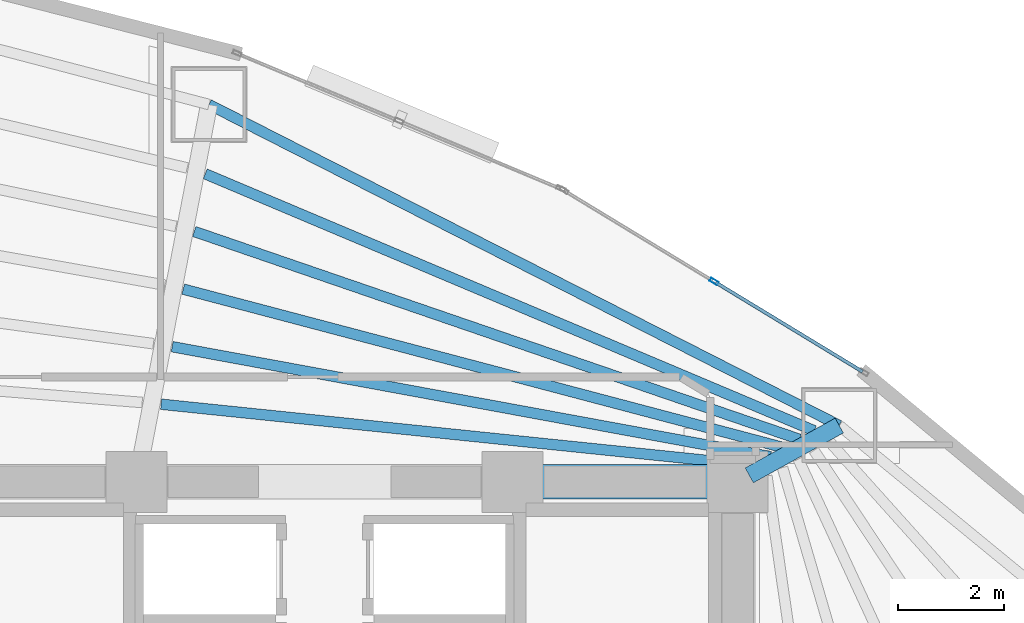
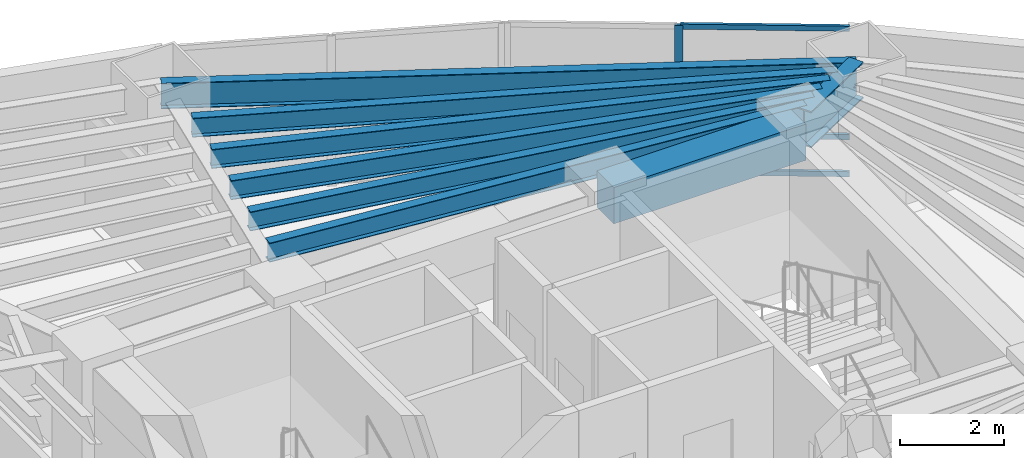
# One storey, part 10 of 17: 8 beams, 4 members, 1 element without a shape of its own.
"""IFC4 building model written with IfcOpenShell, lengths in metres."""

from ifc_helpers import new_model, si_unit, direction, frame, origin, origin_2d, place, context, subcontext, project, spatial, rectangle, hollow_rectangle, i_section, extrude, material, layer, layer_set, material_profile, profile_set, type_object, element, aggregate, save


model = new_model("IFC4")

# Units and contexts
model_context = context("Model", 3, precision=1e-05, world=origin(), true_north=direction((0.0, 1.0)))
body_context = subcontext(model_context, "Body", "Model", "MODEL_VIEW")
ifc_project = project(units=[si_unit("LENGTHUNIT", "METRE"), si_unit("AREAUNIT", "SQUARE_METRE"), si_unit("VOLUMEUNIT", "CUBIC_METRE"), si_unit("PLANEANGLEUNIT", "RADIAN"), si_unit("MASSUNIT", "GRAM", prefix="KILO")], contexts=[model_context])

# Site, building, storey
site_placement = place(None, origin())
site = spatial("IfcSite", under=ifc_project, at=site_placement, CompositionType="ELEMENT")
building_placement = place(site_placement, origin())
building = spatial("IfcBuilding", under=site, at=building_placement, Name="Menara Vayukalpa", CompositionType="ELEMENT")
storey_placement = place(building_placement, frame((0.0, 0.0, 42.47998046875)))
storey = spatial("IfcBuildingStorey", under=building, at=storey_placement, Name="L09", CompositionType="ELEMENT", Elevation=42.47998046875)

# Beams
ifc_material_1 = material(Name="Concrete C60/75", Category="concrete")
ifc_material_profile_1 = material_profile(ifc_material_1, rectangle(XDim=0.64990234375, YDim=0.85009765625, at=origin_2d()), Name="RC 650x850")
ifc_profile_set_1 = profile_set([ifc_material_profile_1], Name="Concrete C60/75")
beam_type_1 = type_object("IfcBeamType", Name="BM-CB1", PredefinedType="BEAM", material=ifc_profile_set_1)
beam_1_placement = place(storey_placement, frame((29.14990234375, 26.800048828125, 3.044921875), z_axis=(1.0, 0.0, 0.0), x_axis=(0.0, 1.0, 0.0)))
element("IfcBeam", 1, at=beam_1_placement, inside=storey, type_object=beam_type_1, Name="L09 Core Tie Beam CBR6", PredefinedType="BEAM", context=body_context, shape_type="SweptSolid", body=[
    extrude(rectangle(XDim=0.64990234375, YDim=0.85009765625, at=origin_2d()), origin(), (0.0, 0.0, 1.0), 4.25),
])
ifc_material_2 = material(Name="Steel S355", Category="steel")
ifc_material_profile_2 = material_profile(ifc_material_2, i_section(OverallWidth=0.320068359375, OverallDepth=0.85009765625, WebThickness=0.01611328125, FlangeThickness=0.030029296875, at=origin_2d()), Name="WF 850x320x16x30")
ifc_profile_set_2 = profile_set([ifc_material_profile_2], Name="Steel S355")
beam_type_2 = type_object("IfcBeamType", Name="BM-PG2", PredefinedType="BEAM", material=ifc_profile_set_2)
beam_2_placement = place(storey_placement, frame((33.61865234375, 26.921142578125, 3.044921875), z_axis=(0.87459548214, 0.484853320727, 0.0), x_axis=(-0.484853320727, 0.87459548214, 0.0)))
element("IfcBeam", 2, at=beam_2_placement, inside=storey, type_object=beam_type_2, Name="L09 Primary Radial Girder RG02", PredefinedType="BEAM", context=body_context, shape_type="SweptSolid", body=[
    extrude(i_section(OverallWidth=0.320068359375, OverallDepth=0.85009765625, WebThickness=0.01611328125, FlangeThickness=0.030029296875, at=origin_2d()), origin(), (0.0, 0.0, 1.0), 1.943115234375),
])
ifc_material_3 = material(Name="Steel S355", Category="steel")
ifc_material_profile_3 = material_profile(ifc_material_3, i_section(OverallWidth=0.199951171875, OverallDepth=0.449951171875, WebThickness=0.009033203125, FlangeThickness=0.013916015625, at=origin_2d()), Name="WF 450x200x9x14")
ifc_profile_set_3 = profile_set([ifc_material_profile_3], Name="Steel S355")
beam_type_3 = type_object("IfcBeamType", Name="BM-SJ1", PredefinedType="JOIST", material=ifc_profile_set_3)
beam_3_placement = place(storey_placement, frame((33.74560546875, 27.109130859375, 3.2451171875), z_axis=(-0.994746828953, 0.102365747631, 0.0), x_axis=(-0.102365747631, -0.994746828953, 0.0)))
element("IfcBeam", 3, at=beam_3_placement, inside=storey, type_object=beam_type_3, Name="L09 Secondary Floor Joist SJ02-1", PredefinedType="JOIST", context=body_context, shape_type="SweptSolid", body=[
    extrude(i_section(OverallWidth=0.199951171875, OverallDepth=0.449951171875, WebThickness=0.009033203125, FlangeThickness=0.013916015625, at=origin_2d()), origin(), (0.0, 0.0, 1.0), 11.29052734375),
])
beam_4_placement = place(storey_placement, frame((34.019287109375, 27.27392578125, 3.2451171875), z_axis=(-0.983504975359, 0.180881075419, 0.0), x_axis=(-0.180881075419, -0.983504975359, 0.0)))
element("IfcBeam", 4, at=beam_4_placement, inside=storey, type_object=beam_type_3, Name="L09 Secondary Floor Joist SJ02-2", PredefinedType="JOIST", context=body_context, shape_type="SweptSolid", body=[
    extrude(i_section(OverallWidth=0.199951171875, OverallDepth=0.449951171875, WebThickness=0.009033203125, FlangeThickness=0.013916015625, at=origin_2d()), origin(), (0.0, 0.0, 1.0), 11.48486328125),
])
beam_5_placement = place(storey_placement, frame((34.294189453125, 27.438232421875, 3.2451171875), z_axis=(-0.966863757537, 0.255292918746, 0.0), x_axis=(-0.255292918746, -0.966863757537, 0.0)))
element("IfcBeam", 5, at=beam_5_placement, inside=storey, type_object=beam_type_3, Name="L09 Secondary Floor Joist SJ02-3", PredefinedType="JOIST", context=body_context, shape_type="SweptSolid", body=[
    extrude(i_section(OverallWidth=0.199951171875, OverallDepth=0.449951171875, WebThickness=0.009033203125, FlangeThickness=0.013916015625, at=origin_2d()), origin(), (0.0, 0.0, 1.0), 11.751220703125),
])
beam_6_placement = place(storey_placement, frame((34.570068359375, 27.601318359375, 3.2451171875), z_axis=(-0.945794261669, 0.324766400038, 0.0), x_axis=(-0.324766400038, -0.945794261669, 0.0)))
element("IfcBeam", 6, at=beam_6_placement, inside=storey, type_object=beam_type_3, Name="L09 Secondary Floor Joist SJ02-4", PredefinedType="JOIST", context=body_context, shape_type="SweptSolid", body=[
    extrude(i_section(OverallWidth=0.199951171875, OverallDepth=0.449951171875, WebThickness=0.009033203125, FlangeThickness=0.013916015625, at=origin_2d()), origin(), (0.0, 0.0, 1.0), 12.0849609375),
])
beam_7_placement = place(storey_placement, frame((34.84619140625, 27.763671875, 3.2451171875), z_axis=(-0.921359344435, 0.38871192215, 0.0), x_axis=(-0.38871192215, -0.921359344435, 0.0)))
element("IfcBeam", 7, at=beam_7_placement, inside=storey, type_object=beam_type_3, Name="L09 Secondary Floor Joist SJ02-5", PredefinedType="JOIST", context=body_context, shape_type="SweptSolid", body=[
    extrude(i_section(OverallWidth=0.199951171875, OverallDepth=0.449951171875, WebThickness=0.009033203125, FlangeThickness=0.013916015625, at=origin_2d()), origin(), (0.0, 0.0, 1.0), 12.48046875),
])
ifc_material_4 = material(Name="Steel S355", Category="steel")
ifc_material_profile_4 = material_profile(ifc_material_4, i_section(OverallWidth=0.199951171875, OverallDepth=0.60009765625, WebThickness=0.010986328125, FlangeThickness=0.01708984375, at=origin_2d()), Name="WF 600x200x11x17")
ifc_profile_set_4 = profile_set([ifc_material_profile_4], Name="Steel S355")
beam_type_4 = type_object("IfcBeamType", Name="BM-SP1", PredefinedType="SPANDREL", material=ifc_profile_set_4)
beam_8_placement = place(storey_placement, frame((35.318115234375, 27.86328125, 3.169921875), z_axis=(-0.891100743313, 0.453805536841, 0.0), x_axis=(-0.453805536841, -0.891100743313, 0.0)))
element("IfcBeam", 8, at=beam_8_placement, inside=storey, type_object=beam_type_4, Name="L09 Perimeter Spandrel Beam SP02", PredefinedType="SPANDREL", context=body_context, shape_type="SweptSolid", body=[
    extrude(i_section(OverallWidth=0.199951171875, OverallDepth=0.60009765625, WebThickness=0.010986328125, FlangeThickness=0.01708984375, at=origin_2d()), origin(), (0.0, 0.0, 1.0), 13.352783203125),
])

# Curtain wall, members
ifc_material_5 = material(Name="Anodised Terracotta Aluminium Alloy 6063-T6", Category="masonry")
ifc_layer = layer(ifc_material_5, 0.1650390625)
ifc_layer_set = layer_set([ifc_layer], Name="Anodised Terracotta Aluminium Alloy 6063-T6")
curtain_wall_type = type_object("IfcCurtainWallType", Name="CW-CW2", PredefinedType="USERDEFINED", material=ifc_layer_set)
curtain_wall_placement = place(storey_placement, origin())
curtain_wall = element("IfcCurtainWall", 9, at=curtain_wall_placement, inside=storey, type_object=curtain_wall_type, Name="L09 Low Rise Terracotta Ribbon Curtain Wall CW2 04", ObjectType="UNITISED", PredefinedType="USERDEFINED")
ifc_material_6 = material(Name="Anodised Terracotta Aluminium Alloy 6063-T6", Category="masonry")
ifc_material_profile_5 = material_profile(ifc_material_6, hollow_rectangle(XDim=0.070068359375, YDim=0.1650390625, WallThickness=0.00390625, at=origin_2d()), Name="ALU 70x165x4")
ifc_profile_set_5 = profile_set([ifc_material_profile_5], Name="Anodised Terracotta Aluminium Alloy 6063-T6")
member_type_1 = type_object("IfcMemberType", Name="CWM-CW2", PredefinedType="MULLION", material=ifc_profile_set_5)
member_1_placement = place(storey_placement, frame((32.9560546875, 30.581298828125, 0.0), z_axis=(0.0, 0.0, 1.0), x_axis=(-0.519181964377, -0.854663727945, 0.0)))
member_1 = element("IfcMember", 10, at=member_1_placement, type_object=member_type_1, Name="CW2 mullion 2", PredefinedType="MULLION", context=body_context, shape_type="SweptSolid", body=[
    extrude(hollow_rectangle(XDim=0.070068359375, YDim=0.1650390625, WallThickness=0.00390625, at=origin_2d()), origin(), (0.0, 0.0, 1.0), 3.469970703125),
])
ifc_material_7 = material(Name="Anodised Terracotta Aluminium Alloy 6063-T6", Category="masonry")
ifc_material_profile_6 = material_profile(ifc_material_7, hollow_rectangle(XDim=0.06494140625, YDim=0.1201171875, WallThickness=0.00341796875, at=origin_2d()), Name="ALU 65x120x3.5")
ifc_profile_set_6 = profile_set([ifc_material_profile_6], Name="Anodised Terracotta Aluminium Alloy 6063-T6")
member_type_2 = type_object("IfcMemberType", Name="CWT-CW2", PredefinedType="USERDEFINED", material=ifc_profile_set_6)
member_2_placement = place(storey_placement, frame((35.75732421875, 28.879638671875, 0.032470703125), z_axis=(-0.854643142641, 0.519215849851, 0.0), x_axis=(-0.519215849851, -0.854643142641, 0.0)))
member_2 = element("IfcMember", 11, at=member_2_placement, type_object=member_type_2, Name="CW2 transom 1.1", ObjectType="TRANSOM", PredefinedType="USERDEFINED", context=body_context, shape_type="SweptSolid", body=[
    extrude(hollow_rectangle(XDim=0.06494140625, YDim=0.1201171875, WallThickness=0.00341796875, at=origin_2d()), origin(), (0.0, 0.0, 1.0), 3.24267578125),
])
member_3_placement = place(storey_placement, frame((35.75732421875, 28.879638671875, 0.89990234375), z_axis=(-0.854643142641, 0.519215849851, 0.0), x_axis=(-0.519215849851, -0.854643142641, 0.0)))
member_3 = element("IfcMember", 12, at=member_3_placement, type_object=member_type_2, Name="CW2 transom 1.2", ObjectType="TRANSOM", PredefinedType="USERDEFINED", context=body_context, shape_type="SweptSolid", body=[
    extrude(hollow_rectangle(XDim=0.06494140625, YDim=0.1201171875, WallThickness=0.00341796875, at=origin_2d()), origin(), (0.0, 0.0, 1.0), 3.24267578125),
])
member_4_placement = place(storey_placement, frame((35.75732421875, 28.879638671875, 3.4375), z_axis=(-0.854643142641, 0.519215849851, 0.0), x_axis=(-0.519215849851, -0.854643142641, 0.0)))
member_4 = element("IfcMember", 13, at=member_4_placement, type_object=member_type_2, Name="CW2 transom 1.3", ObjectType="TRANSOM", PredefinedType="USERDEFINED", context=body_context, shape_type="SweptSolid", body=[
    extrude(hollow_rectangle(XDim=0.06494140625, YDim=0.1201171875, WallThickness=0.00341796875, at=origin_2d()), origin(), (0.0, 0.0, 1.0), 3.24267578125),
])
aggregate(curtain_wall, [member_1, member_2, member_3, member_4])

save(model, "model.ifc")
